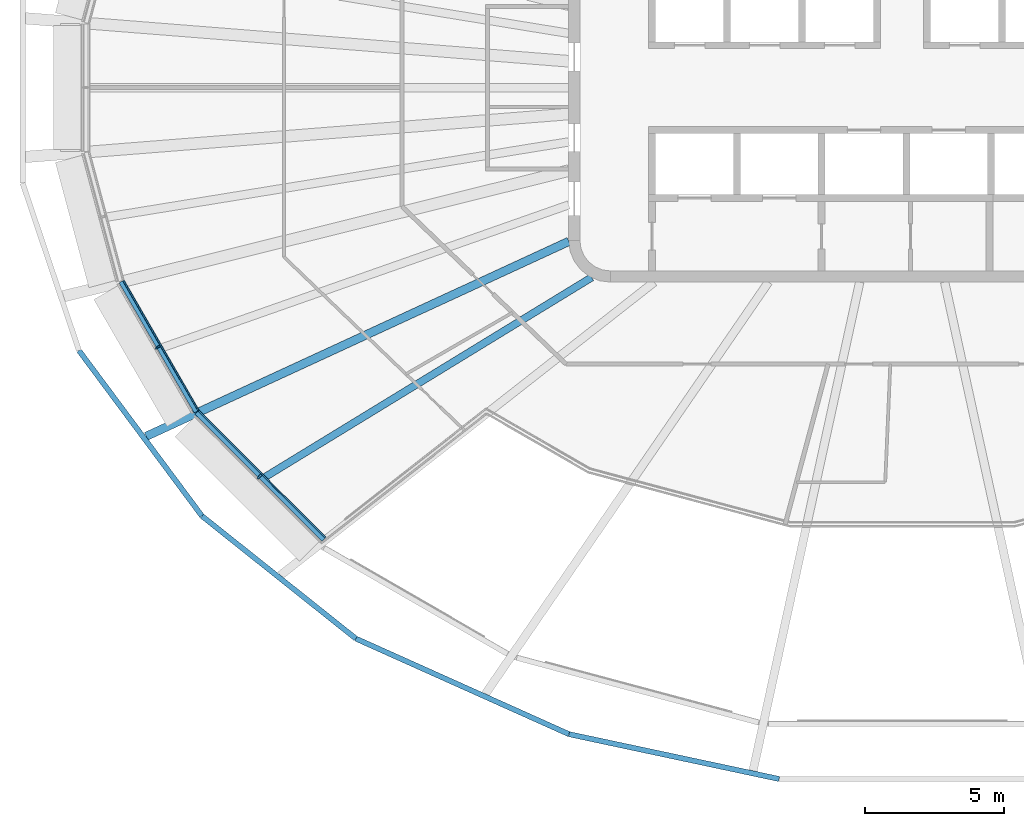
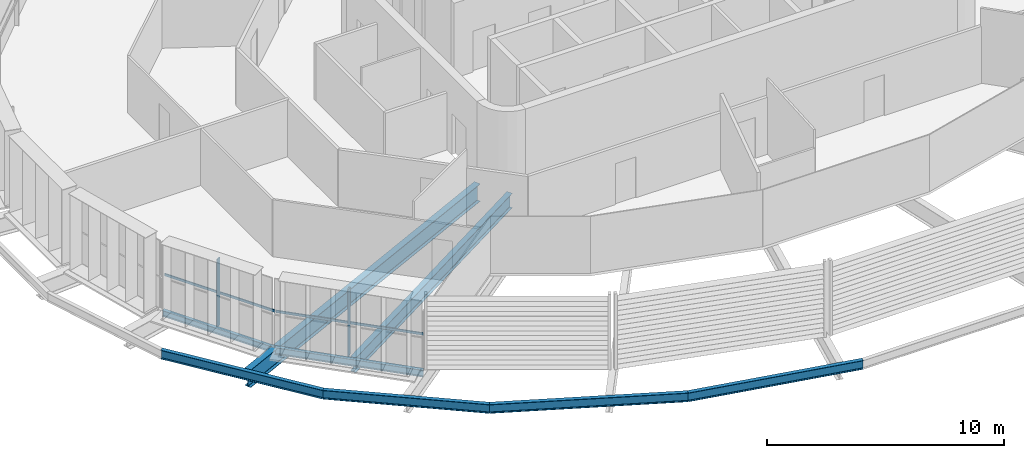
# One storey, part 1 of 19: 8 beams, 4 members, 2 elements without a shape of their own.
"""IFC4 building model written with IfcOpenShell, lengths in metres."""

import ifcopenshell
import ifcopenshell.guid

model = None  # the IFC model being written
_history = None  # IfcOwnerHistory: only IFC2X3 demands one
_inside = {}  # id of a spatial element -> (the spatial element, [elements in it])
_under = {}  # id of a project, library or spatial element -> (it, [spatial elements below it])
_declared = {}  # id of a project -> (the project, [libraries it declares])
_typed = {}  # id of a type object -> (the type object, [elements of that type])
_made_of = {}  # id of a material, layer set ... -> (it, [elements and type objects made of it])


def new_model(schema):
    """Start an empty IFC model of exactly this schema.

    Asked for "IFC4X3", IfcOpenShell would pick the latest addendum, in which some entities
    have other attributes; the version numbers below select the first issue.
    IFC2X3 requires an IfcOwnerHistory on every rooted entity: one is made here for all.
    """
    global model, _history
    if schema == "IFC4X3":
        model = ifcopenshell.file(schema_version=(4, 3, 0, 0))
    else:
        model = ifcopenshell.file(schema=schema)
    _inside.clear()
    _under.clear()
    _declared.clear()
    _typed.clear()
    _made_of.clear()
    _history = None
    if model.schema == "IFC2X3":
        org = make("IfcOrganization", Name="unknown")
        user = make(
            "IfcPersonAndOrganization",
            ThePerson=make("IfcPerson", FamilyName="unknown"),
            TheOrganization=org,
        )
        app = make(
            "IfcApplication",
            ApplicationDeveloper=org,
            Version="unknown",
            ApplicationFullName="unknown",
            ApplicationIdentifier="unknown",
        )
        _history = make(
            "IfcOwnerHistory",
            OwningUser=user,
            OwningApplication=app,
            ChangeAction="ADDED",
            CreationDate=0,
        )
    return model


def make(cls, **values):
    """One entity of the class cls with the attributes given. An attribute that is None is left unset."""
    return model.create_entity(
        cls, **{name: value for name, value in values.items() if value is not None}
    )


def rooted(cls, **values):
    """An entity with a GlobalId (a new one), such as an element, a storey or a relation."""
    return make(cls, GlobalId=ifcopenshell.guid.new(), OwnerHistory=_history, **values)


def si_unit(unit_type, name, prefix=None):
    """IfcSIUnit, for example si_unit("LENGTHUNIT", "METRE", prefix="MILLI")."""
    return make("IfcSIUnit", UnitType=unit_type, Prefix=prefix, Name=name)


def assignment(units):
    """IfcUnitAssignment: the units of a project."""
    return None if units is None else make("IfcUnitAssignment", Units=units)


def point(xyz):
    """IfcCartesianPoint."""
    return None if xyz is None else make("IfcCartesianPoint", Coordinates=xyz)


def direction(xyz):
    """IfcDirection."""
    return None if xyz is None else make("IfcDirection", DirectionRatios=xyz)


def frame(location, z_axis=None, x_axis=None):
    """IfcAxis2Placement3D, a coordinate frame: its origin and axes. An axis left out is left unset."""
    return make(
        "IfcAxis2Placement3D",
        Location=point(location),
        Axis=direction(z_axis),
        RefDirection=direction(x_axis),
    )


def frame_2d(location, x_axis=None):
    """IfcAxis2Placement2D, a coordinate frame in the plane: its origin and x axis."""
    return make(
        "IfcAxis2Placement2D", Location=point(location), RefDirection=direction(x_axis)
    )


def origin():
    """The frame at (0, 0, 0) with its axes left unset."""
    return frame((0.0, 0.0, 0.0))


def origin_2d():
    """The frame at (0, 0) in the plane with its x axis left unset."""
    return frame_2d((0.0, 0.0))


def place(relative_to, where):
    """IfcLocalPlacement: puts the frame where relative to a parent placement (None: the world)."""
    return make(
        "IfcLocalPlacement", PlacementRelTo=relative_to, RelativePlacement=where
    )


def context(
    kind, dimensions, precision=None, world=None, true_north=None, identifier=None
):
    """IfcGeometricRepresentationContext, for example the 3D "Model" context."""
    return make(
        "IfcGeometricRepresentationContext",
        ContextIdentifier=identifier,
        ContextType=kind,
        CoordinateSpaceDimension=dimensions,
        Precision=precision,
        WorldCoordinateSystem=world,
        TrueNorth=true_north,
    )


def subcontext(parent, identifier, kind, view, scale=None):
    """IfcGeometricRepresentationSubContext, for example "Body" below "Model"."""
    return make(
        "IfcGeometricRepresentationSubContext",
        ContextIdentifier=identifier,
        ContextType=kind,
        ParentContext=parent,
        TargetScale=scale,
        TargetView=view,
    )


def project(units=None, contexts=None):
    """IfcProject with its units and contexts."""
    return rooted(
        "IfcProject",
        Name="project",
        RepresentationContexts=contexts,
        UnitsInContext=assignment(units),
    )


def spatial(cls, under=None, at=None, **own):
    """A site, building, storey or space (cls), placed at a placement, below another one or the project."""
    s = rooted(cls, ObjectPlacement=at, **own)
    if under is not None:
        _under.setdefault(under.id(), (under, []))[1].append(s)
    return s


def profile(cls, at=None, kind="AREA", **sizes):
    """A parametric profile (cls). Its sizes go by their IFC names, for example OverallWidth=200.0."""
    return make(cls, ProfileType=kind, Position=at, **sizes)


def rectangle(**sizes):
    """IfcRectangleProfileDef."""
    return profile("IfcRectangleProfileDef", **sizes)


def i_section(**sizes):
    """IfcIShapeProfileDef."""
    return profile("IfcIShapeProfileDef", **sizes)


def extrude(swept, where, along, depth):
    """IfcExtrudedAreaSolid: the profile swept, set in the frame where, extruded along a direction by depth."""
    return make(
        "IfcExtrudedAreaSolid",
        SweptArea=swept,
        Position=where,
        ExtrudedDirection=direction(along),
        Depth=depth,
    )


def shape(context_of_items, identifier, shape_type, items):
    """IfcShapeRepresentation: the items that make up one representation, for example the "Body"."""
    return make(
        "IfcShapeRepresentation",
        ContextOfItems=context_of_items,
        RepresentationIdentifier=identifier,
        RepresentationType=shape_type,
        Items=items,
    )


def material(Name=None, Category=None):
    """IfcMaterial."""
    return make("IfcMaterial", Name=Name, Category=Category)


def layer(
    of_material, thickness, ventilated=None, Name=None, Category=None, Priority=None
):
    """IfcMaterialLayer: one layer of a wall or slab, of a material (None: an air gap)."""
    return make(
        "IfcMaterialLayer",
        Material=of_material,
        LayerThickness=thickness,
        IsVentilated=ventilated,
        Name=Name,
        Category=Category,
        Priority=Priority,
    )


def layer_set(layers, Name=None):
    """IfcMaterialLayerSet."""
    return make("IfcMaterialLayerSet", MaterialLayers=layers, LayerSetName=Name)


def material_profile(
    of_material, cross_section, Name=None, Category=None, Priority=None
):
    """IfcMaterialProfile: a cross section and its material."""
    return make(
        "IfcMaterialProfile",
        Name=Name,
        Material=of_material,
        Profile=cross_section,
        Priority=Priority,
        Category=Category,
    )


def profile_set(profiles, Name=None, composite=None):
    """IfcMaterialProfileSet."""
    return make(
        "IfcMaterialProfileSet",
        Name=Name,
        MaterialProfiles=profiles,
        CompositeProfile=composite,
    )


def made_of(thing, what):
    """Note that an element or type object is made of a material, layer set ...; save() writes the relation."""
    if what is not None:
        _made_of.setdefault(what.id(), (what, []))[1].append(thing)
    return thing


def type_object(cls, material=None, **own):
    """A type object (cls), such as IfcWallType, which elements share."""
    return made_of(rooted(cls, **own), material)


def element(
    cls,
    number,
    at=None,
    inside=None,
    cuts=None,
    type_object=None,
    material=None,
    context=None,
    identifier="Body",
    shape_type=None,
    held_by="IfcProductDefinitionShape",
    body=None,
    shapes=None,
    **own,
):
    """One element of the class cls, such as IfcWall. Its Tag is "e" and its number.

    at: its placement. inside: the storey or other place that contains it. cuts: it is an
    opening in that element (IfcRelVoidsElement). A single representation is given by context,
    identifier, shape_type and body (its items); several are given by shapes. held_by: the class
    of the entity that holds the representations. save() writes the other relations.
    """
    e = rooted(cls, Tag="e%d" % number, ObjectPlacement=at, **own)
    if body is not None:
        shapes = [shape(context, identifier, shape_type, body)]
    if shapes is not None:
        e.Representation = make(held_by, Representations=shapes)
    if inside is not None:
        _inside.setdefault(inside.id(), (inside, []))[1].append(e)
    if cuts is not None:
        rooted(
            "IfcRelVoidsElement", RelatingBuildingElement=cuts, RelatedOpeningElement=e
        )
    if type_object is not None:
        _typed.setdefault(type_object.id(), (type_object, []))[1].append(e)
    return made_of(e, material)


def aggregate(whole, parts):
    """IfcRelAggregates: a whole, such as a stair, and the parts it consists of."""
    return rooted("IfcRelAggregates", RelatingObject=whole, RelatedObjects=parts)


def save(model, path):
    """Write the relations noted so far, then the file.

    IfcRelAggregates (storeys below a building ...), IfcRelContainedInSpatialStructure (elements
    in a storey), IfcRelDefinesByType, IfcRelAssociatesMaterial and IfcRelDeclares: one each for
    every whole, place, type object, material and project.
    """
    for whole, parts in _under.values():
        aggregate(whole, parts)
    for where, things in _inside.values():
        rooted(
            "IfcRelContainedInSpatialStructure",
            RelatedElements=things,
            RelatingStructure=where,
        )
    for kind, things in _typed.values():
        rooted("IfcRelDefinesByType", RelatedObjects=things, RelatingType=kind)
    for what, things in _made_of.values():
        rooted("IfcRelAssociatesMaterial", RelatedObjects=things, RelatingMaterial=what)
    for by, libraries in _declared.values():
        rooted("IfcRelDeclares", RelatingContext=by, RelatedDefinitions=libraries)
    model.write(path)


model = new_model("IFC4")

# Units and contexts
model_context = context("Model", 3, precision=1e-05, world=origin(), true_north=direction((0.0, 1.0)))
body_context = subcontext(model_context, "Body", "Model", "MODEL_VIEW")
ifc_project = project(units=[si_unit("LENGTHUNIT", "METRE"), si_unit("AREAUNIT", "SQUARE_METRE"), si_unit("VOLUMEUNIT", "CUBIC_METRE"), si_unit("PLANEANGLEUNIT", "RADIAN"), si_unit("MASSUNIT", "GRAM", prefix="KILO")], contexts=[model_context])

# Site, building, storey
site_placement = place(None, origin())
site = spatial("IfcSite", under=ifc_project, at=site_placement, CompositionType="ELEMENT")
building_placement = place(site_placement, origin())
building = spatial("IfcBuilding", under=site, at=building_placement, Name="Sahrelin Media Tower", CompositionType="ELEMENT")
storey_placement = place(building_placement, frame((0.0, 0.0, 275.0)))
storey = spatial("IfcBuildingStorey", under=building, at=storey_placement, Name="L60", CompositionType="ELEMENT", Elevation=275.0)

# Beams
ifc_material_1 = material(Name="Steel S355", Category="steel")
ifc_material_profile_1 = material_profile(ifc_material_1, i_section(OverallWidth=0.1650390625, OverallDepth=0.303466796875, WebThickness=0.006103515625, FlangeThickness=0.01025390625, FilletRadius=0.0087890625, at=origin_2d()), Name="UB 305x165x40")
ifc_profile_set_1 = profile_set([ifc_material_profile_1], Name="Steel S355")
beam_type_1 = type_object("IfcBeamType", Name="Edge beam EB2", PredefinedType="BEAM", material=ifc_profile_set_1)
beam_1_placement = place(storey_placement, frame((-25.40576171875, -11.665771484375, -0.3017578125), z_axis=(-0.499996136155, 0.866027634565, 0.0), x_axis=(-0.866027634565, -0.499996136155, 0.0)))
element("IfcBeam", 1, at=beam_1_placement, inside=storey, type_object=beam_type_1, Name="Edge beam L60-07", PredefinedType="BEAM", context=body_context, shape_type="SweptSolid", body=[
    extrude(i_section(OverallWidth=0.1650390625, OverallDepth=0.303466796875, WebThickness=0.006103515625, FlangeThickness=0.01025390625, FilletRadius=0.0087890625, at=origin_2d()), origin(), (0.0, 0.0, 1.0), 5.4052734375),
])
ifc_material_profile_2 = material_profile(ifc_material_1, i_section(OverallWidth=0.17138671875, OverallDepth=0.35498046875, WebThickness=0.00732421875, FlangeThickness=0.011474609375, FilletRadius=0.01025390625, at=origin_2d()), Name="UB 356x171x51")
ifc_profile_set_2 = profile_set([ifc_material_profile_2], Name="Steel S355")
beam_type_2 = type_object("IfcBeamType", Name="Edge beam EB3", PredefinedType="BEAM", material=ifc_profile_set_2)
beam_2_placement = place(storey_placement, frame((-20.81689453125, -16.260009765625, -0.327392578125), z_axis=(-0.707106781187, 0.707106781187, 0.0), x_axis=(-0.707106781187, -0.707106781187, 0.0)))
element("IfcBeam", 2, at=beam_2_placement, inside=storey, type_object=beam_type_2, Name="Edge beam L60-06", PredefinedType="BEAM", context=body_context, shape_type="SweptSolid", body=[
    extrude(i_section(OverallWidth=0.17138671875, OverallDepth=0.35498046875, WebThickness=0.00732421875, FlangeThickness=0.011474609375, FilletRadius=0.01025390625, at=origin_2d()), origin(), (0.0, 0.0, 1.0), 6.46484375),
])

# Curtain wall, member
ifc_material_2 = material(Name="Champagne anodised aluminium 6063-T6", Category="aluminium")
ifc_layer = layer(ifc_material_2, 0.14990234375)
ifc_layer_set = layer_set([ifc_layer], Name="Tower ribbon curtain wall")
curtain_wall_type = type_object("IfcCurtainWallType", Name="Tower ribbon curtain wall", PredefinedType="NOTDEFINED", material=ifc_layer_set)
curtain_wall_1_placement = place(storey_placement, frame((-26.886962890625, -9.400146484375, 0.0), z_axis=(0.0, 0.0, 1.0), x_axis=(1.0, 0.0, 0.0)))
curtain_wall_1 = element("IfcCurtainWall", 3, at=curtain_wall_1_placement, inside=storey, type_object=curtain_wall_type, Name="L60:CW:L60-14", PredefinedType="NOTDEFINED")
ifc_material_profile_3 = material_profile(ifc_material_2, rectangle(XDim=0.06005859375, YDim=0.199951171875, at=origin_2d()), Name="Mullion 60x200")
ifc_profile_set_3 = profile_set([ifc_material_profile_3], Name="Champagne anodised aluminium 6063-T6")
member_type_1 = type_object("IfcMemberType", Name="Mullion 60x200 CW1C", PredefinedType="MULLION", material=ifc_profile_set_3)
member_1_placement = place(storey_placement, frame((-26.783203125, -9.340087890625, 0.0), z_axis=(0.0, 0.0, 1.0), x_axis=(0.500001511499, -0.866024531118, 0.0)))
member_1 = element("IfcMember", 4, at=member_1_placement, type_object=member_type_1, Name="L60:CWM:L60-14", PredefinedType="MULLION", context=body_context, shape_type="SweptSolid", body=[
    extrude(rectangle(XDim=0.06005859375, YDim=0.199951171875, at=origin_2d()), origin(), (0.0, 0.0, 1.0), 3.448486328125),
])

curtain_wall_2_placement = place(storey_placement, frame((-23.20849609375, -14.080322265625, 0.0), z_axis=(0.0, 0.0, 1.0), x_axis=(1.0, 0.0, 0.0)))
curtain_wall_2 = element("IfcCurtainWall", 5, at=curtain_wall_2_placement, inside=storey, type_object=curtain_wall_type, Name="L60:CW:L60-15", PredefinedType="NOTDEFINED")
member_2_placement = place(storey_placement, frame((-23.123779296875, -13.99560546875, 0.0), z_axis=(0.0, 0.0, 1.0), x_axis=(0.707106781187, -0.707106781187, 0.0)))
member_2 = element("IfcMember", 6, at=member_2_placement, type_object=member_type_1, Name="L60:CWM:L60-15", PredefinedType="MULLION", context=body_context, shape_type="SweptSolid", body=[
    extrude(rectangle(XDim=0.06005859375, YDim=0.199951171875, at=origin_2d()), origin(), (0.0, 0.0, 1.0), 3.448486328125),
])

# Beams
ifc_material_profile_4 = material_profile(ifc_material_1, i_section(OverallWidth=0.30322265625, OverallDepth=0.903076171875, WebThickness=0.01513671875, FlangeThickness=0.020263671875, FilletRadius=0.01904296875, at=origin_2d()), Name="UB 914x305x201")
ifc_profile_set_4 = profile_set([ifc_material_profile_4], Name="Steel S355")
beam_type_3 = type_object("IfcBeamType", Name="Radial primary beam PB11", PredefinedType="BEAM", material=ifc_profile_set_4)
beam_3_placement = place(storey_placement, frame((-11.99560546875, -5.532958984375, -0.6015625), z_axis=(-0.908055324306, -0.418850245314, 0.0), x_axis=(0.418850245314, -0.908055324306, 0.0)))
element("IfcBeam", 7, at=beam_3_placement, inside=storey, type_object=beam_type_3, Name="Radial beam L60-15", PredefinedType="BEAM", context=body_context, shape_type="SweptSolid", body=[
    extrude(i_section(OverallWidth=0.30322265625, OverallDepth=0.903076171875, WebThickness=0.01513671875, FlangeThickness=0.020263671875, FilletRadius=0.01904296875, at=origin_2d()), origin(), (0.0, 0.0, 1.0), 16.75390625),
])
ifc_material_profile_5 = material_profile(ifc_material_1, i_section(OverallWidth=0.26513671875, OverallDepth=0.75390625, WebThickness=0.0126953125, FlangeThickness=0.017578125, FilletRadius=0.0166015625, at=origin_2d()), Name="UB 762x267x147")
ifc_profile_set_5 = profile_set([ifc_material_profile_5], Name="Steel S355")
beam_type_4 = type_object("IfcBeamType", Name="Radial secondary beam SB9", PredefinedType="BEAM", material=ifc_profile_set_5)
beam_4_placement = place(storey_placement, frame((-11.1748046875, -6.830078125, -0.527099609375), z_axis=(-0.853241553676, -0.521515916422, 0.0), x_axis=(0.521515916422, -0.853241553676, 0.0)))
element("IfcBeam", 8, at=beam_4_placement, inside=storey, type_object=beam_type_4, Name="Secondary beam L60-15", PredefinedType="BEAM", context=body_context, shape_type="SweptSolid", body=[
    extrude(i_section(OverallWidth=0.26513671875, OverallDepth=0.75390625, WebThickness=0.0126953125, FlangeThickness=0.017578125, FilletRadius=0.0166015625, at=origin_2d()), origin(), (0.0, 0.0, 1.0), 13.78466796875),
])
ifc_material_profile_6 = material_profile(ifc_material_1, i_section(OverallWidth=0.1904296875, OverallDepth=0.45703125, WebThickness=0.009033203125, FlangeThickness=0.014404296875, FilletRadius=0.01025390625, at=origin_2d()), Name="UB 457x191x74")
ifc_profile_set_6 = profile_set([ifc_material_profile_6], Name="Steel S355")
beam_type_5 = type_object("IfcBeamType", Name="Tie chord TC5", PredefinedType="BEAM", material=ifc_profile_set_6)
beam_5_placement = place(storey_placement, frame((-29.623291015625, -9.4619140625, -0.37841796875), z_axis=(0.596572928105, -0.802558871019, 0.0), x_axis=(0.802558871019, 0.596572928105, 0.0)))
element("IfcBeam", 9, at=beam_5_placement, inside=storey, type_object=beam_type_5, Name="Tie chord L60-14", PredefinedType="BEAM", context=body_context, shape_type="SweptSolid", body=[
    extrude(i_section(OverallWidth=0.1904296875, OverallDepth=0.45703125, WebThickness=0.009033203125, FlangeThickness=0.014404296875, FilletRadius=0.01025390625, at=origin_2d()), origin(), (0.0, 0.0, 1.0), 7.420654296875),
])
beam_6_placement = place(storey_placement, frame((-25.1962890625, -15.41748046875, -0.37841796875), z_axis=(0.782259913581, -0.622952187254, 0.0), x_axis=(0.622952187254, 0.782259913581, 0.0)))
element("IfcBeam", 10, at=beam_6_placement, inside=storey, type_object=beam_type_5, Name="Tie chord L60-15", PredefinedType="BEAM", context=body_context, shape_type="SweptSolid", body=[
    extrude(i_section(OverallWidth=0.1904296875, OverallDepth=0.45703125, WebThickness=0.009033203125, FlangeThickness=0.014404296875, FilletRadius=0.01025390625, at=origin_2d()), origin(), (0.0, 0.0, 1.0), 7.07861328125),
])
beam_7_placement = place(storey_placement, frame((-19.658935546875, -19.8271484375, -0.37841796875), z_axis=(0.912455094562, -0.409176857128, 0.0), x_axis=(0.409176857128, 0.912455094562, 0.0)))
element("IfcBeam", 11, at=beam_7_placement, inside=storey, type_object=beam_type_5, Name="Tie chord L60-16", PredefinedType="BEAM", context=body_context, shape_type="SweptSolid", body=[
    extrude(i_section(OverallWidth=0.1904296875, OverallDepth=0.45703125, WebThickness=0.009033203125, FlangeThickness=0.014404296875, FilletRadius=0.01025390625, at=origin_2d()), origin(), (0.0, 0.0, 1.0), 8.4033203125),
])
beam_8_placement = place(storey_placement, frame((-11.9912109375, -23.265625, -0.37841796875), z_axis=(0.977984505567, -0.208677518843, 0.0), x_axis=(0.208677518843, 0.977984505567, 0.0)))
element("IfcBeam", 12, at=beam_8_placement, inside=storey, type_object=beam_type_5, Name="Tie chord L60-17", PredefinedType="BEAM", context=body_context, shape_type="SweptSolid", body=[
    extrude(i_section(OverallWidth=0.1904296875, OverallDepth=0.45703125, WebThickness=0.009033203125, FlangeThickness=0.014404296875, FilletRadius=0.01025390625, at=origin_2d()), origin(), (0.0, 0.0, 1.0), 7.734375),
])

# Member
ifc_material_profile_7 = material_profile(ifc_material_2, rectangle(XDim=0.050048828125, YDim=0.1201171875, at=origin_2d()), Name="Transom 50x120")
ifc_profile_set_7 = profile_set([ifc_material_profile_7], Name="Champagne anodised aluminium 6063-T6")
member_type_2 = type_object("IfcMemberType", Name="Transom 50x120 CW1C", PredefinedType="USERDEFINED", material=ifc_profile_set_7)
member_3_placement = place(storey_placement, frame((-28.018310546875, -6.95068359375, 1.60009765625), z_axis=(0.49999903979, -0.866025958161, 0.0), x_axis=(0.866025958161, 0.49999903979, 0.0)))
member_3 = element("IfcMember", 13, at=member_3_placement, type_object=member_type_2, Name="L60:CWT:L60-14", ObjectType="TRANSOM", PredefinedType="USERDEFINED", context=body_context, shape_type="SweptSolid", body=[
    extrude(rectangle(XDim=0.050048828125, YDim=0.1201171875, at=origin_2d()), origin(), (0.0, 0.0, 1.0), 5.3740234375),
])

aggregate(curtain_wall_1, [member_1, member_3])

member_4_placement = place(storey_placement, frame((-25.309814453125, -11.632568359375, 1.60009765625), z_axis=(0.707087805841, -0.707125756023, 0.0), x_axis=(0.707125756023, 0.707087805841, 0.0)))
member_4 = element("IfcMember", 14, at=member_4_placement, type_object=member_type_2, Name="L60:CWT:L60-15", ObjectType="TRANSOM", PredefinedType="USERDEFINED", context=body_context, shape_type="SweptSolid", body=[
    extrude(rectangle(XDim=0.050048828125, YDim=0.1201171875, at=origin_2d()), origin(), (0.0, 0.0, 1.0), 6.43310546875),
])

aggregate(curtain_wall_2, [member_2, member_4])

save(model, "model.ifc")
